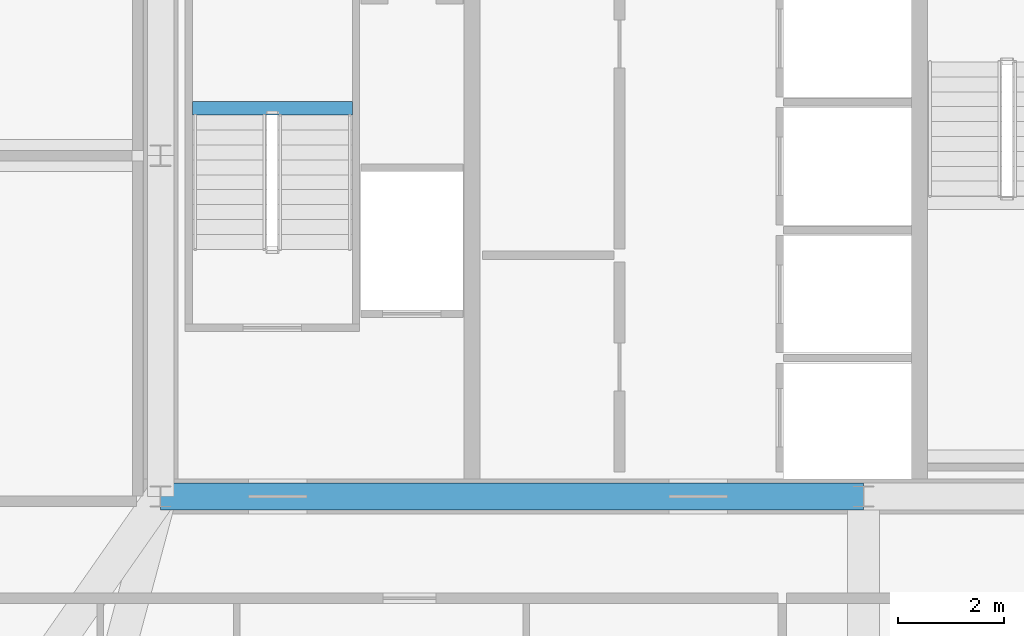
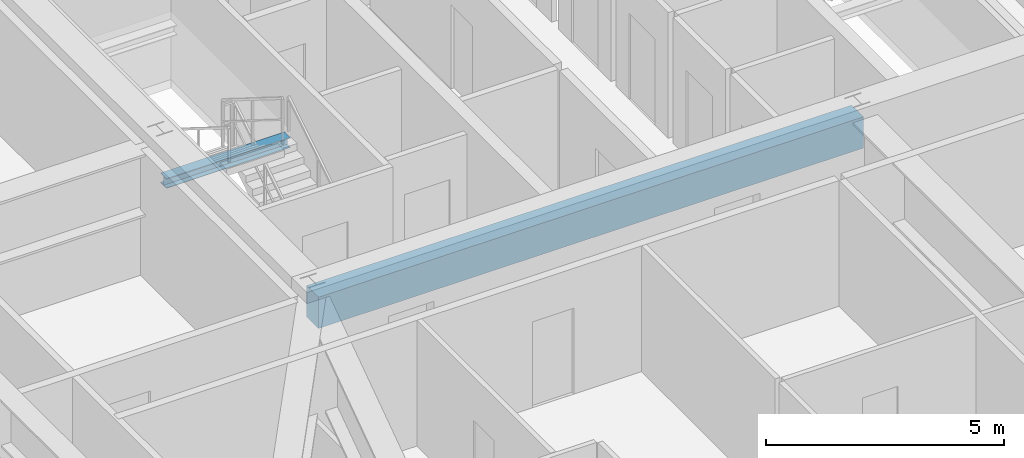
# One storey, part 13 of 39: 2 beams.
"""IFC4 building model written with IfcOpenShell, lengths in metres."""

from ifc_helpers import new_model, si_unit, direction, frame, origin, origin_2d, place, context, subcontext, project, spatial, rectangle, i_section, extrude, source, transform, mapped, material, material_profile, profile_set, type_object, element, save


model = new_model("IFC4")

# Units and contexts
model_context = context("Model", 3, precision=1e-05, world=origin(), true_north=direction((0.0, 1.0)))
body_context = subcontext(model_context, "Body", "Model", "MODEL_VIEW")
ifc_project = project(units=[si_unit("LENGTHUNIT", "METRE"), si_unit("AREAUNIT", "SQUARE_METRE"), si_unit("VOLUMEUNIT", "CUBIC_METRE"), si_unit("PLANEANGLEUNIT", "RADIAN"), si_unit("MASSUNIT", "GRAM", prefix="KILO"), si_unit("THERMODYNAMICTEMPERATUREUNIT", "KELVIN"), si_unit("POWERUNIT", "WATT")], contexts=[model_context])

# Site, building, storey
site_placement = place(None, origin())
site = spatial("IfcSite", under=ifc_project, at=site_placement, CompositionType="ELEMENT")
building_placement = place(site_placement, origin())
building = spatial("IfcBuilding", under=site, at=building_placement, Name="Yuzanri Waterfront Tower", CompositionType="ELEMENT")
storey_placement = place(building_placement, frame((0.0, 0.0, 216.0)))
storey = spatial("IfcBuildingStorey", under=building, at=storey_placement, Name="L57", CompositionType="ELEMENT", Elevation=216.0)

# Beams
ifc_material_1 = material(Name="Concrete C50", Category="concrete")
ifc_material_profile_1 = material_profile(ifc_material_1, rectangle(XDim=0.5, YDim=0.800048828125, at=origin_2d()), Name="RC 500x800")
ifc_profile_set_1 = profile_set([ifc_material_profile_1], Name="Concrete C50")
beam_type_1 = type_object("IfcBeamType", Name="Core Coupling Lintel Concrete C50 500x800", PredefinedType="LINTEL", material=ifc_profile_set_1)
shared_shape_1 = source(origin(), body_context, "Body", "SweptSolid", [
    extrude(rectangle(XDim=0.5, YDim=0.800048828125, at=origin_2d()), origin(), (0.0, 0.0, 1.0), 13.199951171875),
])
beam_1_placement = place(storey_placement, frame((23.800048828125, 19.39990234375, 2.820068359375), z_axis=(1.0, 0.0, 0.0), x_axis=(0.0, 1.0, 0.0)))
element("IfcBeam", 1, at=beam_1_placement, inside=storey, type_object=beam_type_1, Name="L57 Core Tie Beam CS1", PredefinedType="LINTEL", context=body_context, shape_type="MappedRepresentation", body=[
    mapped(shared_shape_1, transform((0.0, 0.0, 0.0), scale=1.0)),
])
ifc_material_2 = material(Name="Steel Q355B", Category="steel")
ifc_material_profile_2 = material_profile(ifc_material_2, i_section(OverallWidth=0.25, OverallDepth=0.25, WebThickness=0.009033203125, FlangeThickness=0.013916015625, at=origin_2d()), Name="HW 250x250x9x14")
ifc_profile_set_2 = profile_set([ifc_material_profile_2], Name="Steel Q355B")
beam_type_2 = type_object("IfcBeamType", Name="Stair Landing Support Beam Q355B HW 250x250", PredefinedType="BEAM", material=ifc_profile_set_2)
shared_shape_2 = source(origin(), body_context, "Body", "SweptSolid", [
    extrude(i_section(OverallWidth=0.25, OverallDepth=0.25, WebThickness=0.009033203125, FlangeThickness=0.013916015625, at=origin_2d()), origin(), (0.0, 0.0, 1.0), 3.0),
])
beam_2_placement = place(storey_placement, frame((24.39990234375, 26.68994140625, 1.425048828125), z_axis=(1.0, 0.0, 0.0), x_axis=(0.0, 1.0, 0.0)))
element("IfcBeam", 2, at=beam_2_placement, inside=storey, type_object=beam_type_2, Name="L57 Stair Landing Support Beam ST-01-L57-L1-1", PredefinedType="BEAM", context=body_context, shape_type="MappedRepresentation", body=[
    mapped(shared_shape_2, transform((0.0, 0.0, 0.0), scale=1.0)),
])

save(model, "model.ifc")
